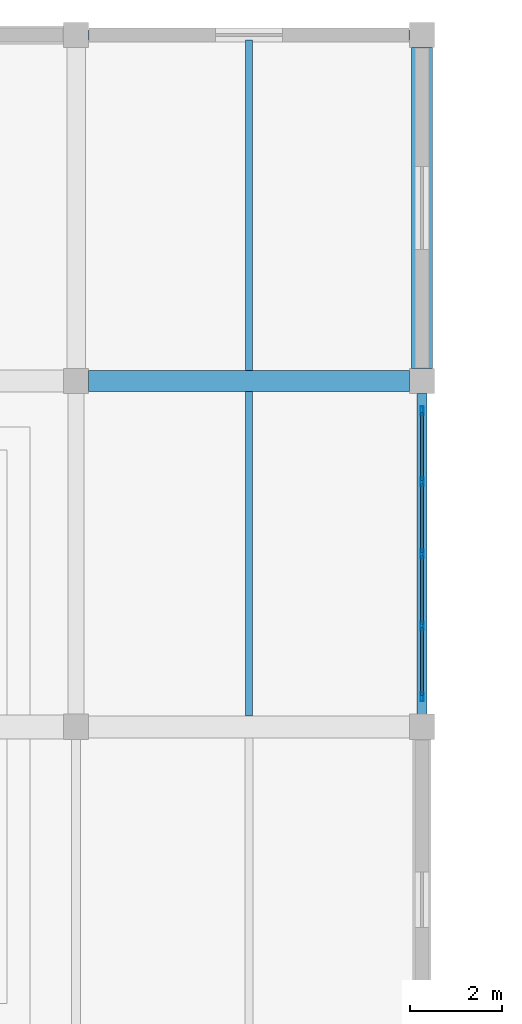
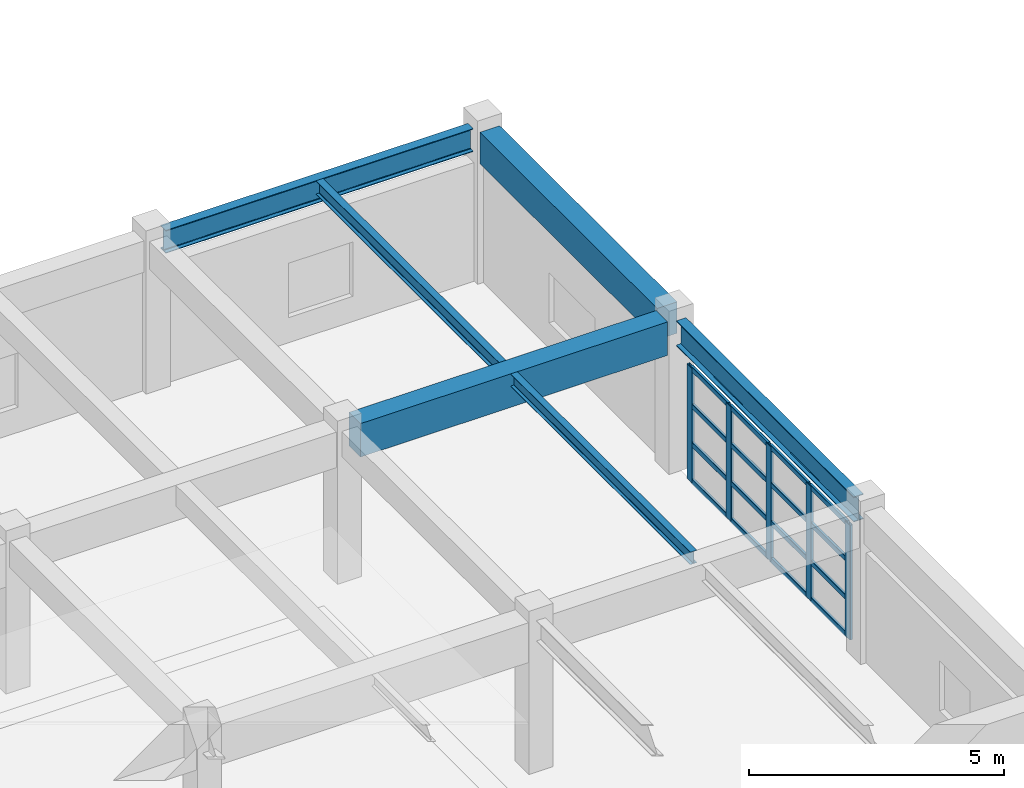
# One storey, part 54 of 101: 21 members, 6 beams, 1 element without a shape of its own.
"""IFC4 building model written with IfcOpenShell, lengths in metres."""

from ifc_helpers import new_model, si_unit, direction, frame, origin, origin_2d, place, context, subcontext, project, spatial, rectangle, hollow_rectangle, i_section, extrude, material, material_profile, profile_set, type_object, element, aggregate, save


model = new_model("IFC4")

# Units and contexts
model_context = context("Model", 3, precision=1e-05, world=origin(), true_north=direction((0.0, 1.0)))
body_context = subcontext(model_context, "Body", "Model", "MODEL_VIEW")
ifc_project = project(units=[si_unit("LENGTHUNIT", "METRE"), si_unit("AREAUNIT", "SQUARE_METRE"), si_unit("VOLUMEUNIT", "CUBIC_METRE"), si_unit("PLANEANGLEUNIT", "RADIAN"), si_unit("MASSUNIT", "GRAM", prefix="KILO")], contexts=[model_context])

# Site, building, storey
site_placement = place(None, origin())
site = spatial("IfcSite", under=ifc_project, at=site_placement, CompositionType="ELEMENT")
building_placement = place(site_placement, origin())
building = spatial("IfcBuilding", under=site, at=building_placement, Name="Qasida Concert Hall", CompositionType="ELEMENT")
storey_placement = place(building_placement, frame((0.0, 0.0, 13.199951171875)))
storey = spatial("IfcBuildingStorey", under=building, at=storey_placement, Name="L03", CompositionType="ELEMENT", Elevation=13.199951171875)

# Beams
ifc_material_1 = material(Name="Concrete C40/50", Category="concrete")
ifc_material_profile_1 = material_profile(ifc_material_1, rectangle(XDim=0.449951171875, YDim=0.800048828125, at=origin_2d()), Name="RC 450x800")
ifc_profile_set_1 = profile_set([ifc_material_profile_1], Name="Concrete C40/50")
beam_type_1 = type_object("IfcBeamType", Name="BM-G2", PredefinedType="USERDEFINED", material=ifc_profile_set_1)
beam_1_placement = place(storey_placement, frame((30.27490234375, 105.0, 3.219970703125), z_axis=(1.0, 0.0, 0.0), x_axis=(0.0, 1.0, 0.0)))
element("IfcBeam", 1, at=beam_1_placement, inside=storey, type_object=beam_type_1, Name="Primary girder 1752", ObjectType="GIRDER", PredefinedType="USERDEFINED", context=body_context, shape_type="SweptSolid", body=[
    extrude(rectangle(XDim=0.449951171875, YDim=0.800048828125, at=origin_2d()), origin(), (0.0, 0.0, 1.0), 6.9501953125),
])
ifc_material_2 = material(Name="Steel S355J2", Category="steel")
ifc_material_profile_2 = material_profile(ifc_material_2, i_section(OverallWidth=0.14990234375, OverallDepth=0.300048828125, WebThickness=0.007080078125, FlangeThickness=0.0107421875, FilletRadius=0.014892578125, at=origin_2d()), Name="IPE 300")
ifc_profile_set_2 = profile_set([ifc_material_profile_2], Name="Steel S355J2")
beam_type_2 = type_object("IfcBeamType", Name="BM-J4", PredefinedType="JOIST", material=ifc_profile_set_2)
beam_2_placement = place(storey_placement, frame((33.75, 97.739990234375, 3.469970703125), z_axis=(0.0, 1.0, 0.0), x_axis=(-1.0, 0.0, 0.0)))
element("IfcBeam", 2, at=beam_2_placement, inside=storey, type_object=beam_type_2, Name="L03 secondary joist 1803", PredefinedType="JOIST", context=body_context, shape_type="SweptSolid", body=[
    extrude(i_section(OverallWidth=0.14990234375, OverallDepth=0.300048828125, WebThickness=0.007080078125, FlangeThickness=0.0107421875, FilletRadius=0.014892578125, at=origin_2d()), origin(), (0.0, 0.0, 1.0), 7.034912109375),
])
ifc_material_profile_3 = material_profile(ifc_material_2, i_section(OverallWidth=0.159912109375, OverallDepth=0.330078125, WebThickness=0.007568359375, FlangeThickness=0.011474609375, FilletRadius=0.01806640625, at=origin_2d()), Name="IPE 330")
ifc_profile_set_3 = profile_set([ifc_material_profile_3], Name="Steel S355J2")
beam_type_3 = type_object("IfcBeamType", Name="BM-J5", PredefinedType="JOIST", material=ifc_profile_set_3)
beam_3_placement = place(storey_placement, frame((33.75, 105.22509765625, 3.455078125), z_axis=(0.0, 1.0, 0.0), x_axis=(-1.0, 0.0, 0.0)))
element("IfcBeam", 3, at=beam_3_placement, inside=storey, type_object=beam_type_3, Name="L03 secondary joist 1804", PredefinedType="JOIST", context=body_context, shape_type="SweptSolid", body=[
    extrude(i_section(OverallWidth=0.159912109375, OverallDepth=0.330078125, WebThickness=0.007568359375, FlangeThickness=0.011474609375, FilletRadius=0.01806640625, at=origin_2d()), origin(), (0.0, 0.0, 1.0), 7.169921875),
])
ifc_material_profile_4 = material_profile(ifc_material_2, i_section(OverallWidth=0.2099609375, OverallDepth=0.550048828125, WebThickness=0.010986328125, FlangeThickness=0.01708984375, FilletRadius=0.02392578125, at=origin_2d()), Name="IPE 550")
ifc_profile_set_4 = profile_set([ifc_material_profile_4], Name="Steel S355J2")
beam_type_4 = type_object("IfcBeamType", Name="BM-SP2", PredefinedType="SPANDREL", material=ifc_profile_set_4)
beam_4_placement = place(storey_placement, frame((30.27490234375, 112.5, 3.344970703125), z_axis=(1.0, 0.0, 0.0), x_axis=(0.0, 1.0, 0.0)))
element("IfcBeam", 4, at=beam_4_placement, inside=storey, type_object=beam_type_4, Name="Primary girder 1756", PredefinedType="SPANDREL", context=body_context, shape_type="SweptSolid", body=[
    extrude(i_section(OverallWidth=0.2099609375, OverallDepth=0.550048828125, WebThickness=0.010986328125, FlangeThickness=0.01708984375, FilletRadius=0.02392578125, at=origin_2d()), origin(), (0.0, 0.0, 1.0), 6.9501953125),
])
ifc_material_profile_5 = material_profile(ifc_material_2, i_section(OverallWidth=0.219970703125, OverallDepth=0.60009765625, WebThickness=0.011962890625, FlangeThickness=0.01904296875, FilletRadius=0.02392578125, at=origin_2d()), Name="IPE 600")
ifc_profile_set_5 = profile_set([ifc_material_profile_5], Name="Steel S355J2")
beam_type_5 = type_object("IfcBeamType", Name="BM-SP3", PredefinedType="SPANDREL", material=ifc_profile_set_5)
beam_5_placement = place(storey_placement, frame((37.5, 97.77490234375, 3.320068359375), z_axis=(0.0, 1.0, 0.0), x_axis=(-1.0, 0.0, 0.0)))
element("IfcBeam", 5, at=beam_5_placement, inside=storey, type_object=beam_type_5, Name="L03 girder 1780", PredefinedType="SPANDREL", context=body_context, shape_type="SweptSolid", body=[
    extrude(i_section(OverallWidth=0.219970703125, OverallDepth=0.60009765625, WebThickness=0.011962890625, FlangeThickness=0.01904296875, FilletRadius=0.02392578125, at=origin_2d()), origin(), (0.0, 0.0, 1.0), 6.9501953125),
])
ifc_material_profile_6 = material_profile(ifc_material_1, rectangle(XDim=0.449951171875, YDim=0.75, at=origin_2d()), Name="RC 450x750")
ifc_profile_set_6 = profile_set([ifc_material_profile_6], Name="Concrete C40/50")
beam_type_6 = type_object("IfcBeamType", Name="BM-SP4", PredefinedType="SPANDREL", material=ifc_profile_set_6)
beam_6_placement = place(storey_placement, frame((37.5, 105.27490234375, 3.2451171875), z_axis=(0.0, 1.0, 0.0), x_axis=(-1.0, 0.0, 0.0)))
element("IfcBeam", 6, at=beam_6_placement, inside=storey, type_object=beam_type_6, Name="L03 girder 1781", PredefinedType="SPANDREL", context=body_context, shape_type="SweptSolid", body=[
    extrude(rectangle(XDim=0.449951171875, YDim=0.75, at=origin_2d()), origin(), (0.0, 0.0, 1.0), 6.9501953125),
])

# Curtain wall, members
ifc_material_3 = material(Name="Architectural bronze-anodized aluminium and low-E glass", Category="aluminium")
curtain_wall_type = type_object("IfcCurtainWallType", Name="CW-08", PredefinedType="NOTDEFINED", material=ifc_material_3)
curtain_wall_placement = place(storey_placement, origin())
curtain_wall = element("IfcCurtainWall", 7, at=curtain_wall_placement, inside=storey, type_object=curtain_wall_type, Name="L03 curtain wall CW-08 0193", PredefinedType="NOTDEFINED")
ifc_material_4 = material(Name="Architectural bronze-anodized aluminium EN AW-6063", Category="aluminium")
ifc_material_profile_7 = material_profile(ifc_material_4, hollow_rectangle(XDim=0.06494140625, YDim=0.199951171875, WallThickness=0.0048828125, InnerFilletRadius=0.0048828125, OuterFilletRadius=0.010009765625, at=origin_2d()), Name="CWM 200x65x5")
ifc_profile_set_7 = profile_set([ifc_material_profile_7], Name="Architectural bronze-anodized aluminium EN AW-6063")
member_type_1 = type_object("IfcMemberType", Name="MB-CWM-2", PredefinedType="MULLION", material=ifc_profile_set_7)
member_1_placement = place(storey_placement, frame((37.5, 98.152587890625, 0.0), z_axis=(0.0, 0.0, 1.0), x_axis=(-1.0, 0.0, 0.0)))
member_1 = element("IfcMember", 8, at=member_1_placement, type_object=member_type_1, Name="CW-08 mullion 1", PredefinedType="MULLION", context=body_context, shape_type="SweptSolid", body=[
    extrude(hollow_rectangle(XDim=0.06494140625, YDim=0.199951171875, WallThickness=0.0048828125, InnerFilletRadius=0.0048828125, OuterFilletRadius=0.010009765625, at=origin_2d()), origin(), (0.0, 0.0, 1.0), 2.739990234375),
])
member_2_placement = place(storey_placement, frame((37.5, 99.68505859375, 0.0), z_axis=(0.0, 0.0, 1.0), x_axis=(-1.0, 0.0, 0.0)))
member_2 = element("IfcMember", 9, at=member_2_placement, type_object=member_type_1, Name="CW-08 mullion 2", PredefinedType="MULLION", context=body_context, shape_type="SweptSolid", body=[
    extrude(hollow_rectangle(XDim=0.06494140625, YDim=0.199951171875, WallThickness=0.0048828125, InnerFilletRadius=0.0048828125, OuterFilletRadius=0.010009765625, at=origin_2d()), origin(), (0.0, 0.0, 1.0), 2.739990234375),
])
member_3_placement = place(storey_placement, frame((37.5, 101.25, 0.0), z_axis=(0.0, 0.0, 1.0), x_axis=(-1.0, 0.0, 0.0)))
member_3 = element("IfcMember", 10, at=member_3_placement, type_object=member_type_1, Name="CW-08 mullion 3", PredefinedType="MULLION", context=body_context, shape_type="SweptSolid", body=[
    extrude(hollow_rectangle(XDim=0.06494140625, YDim=0.199951171875, WallThickness=0.0048828125, InnerFilletRadius=0.0048828125, OuterFilletRadius=0.010009765625, at=origin_2d()), origin(), (0.0, 0.0, 1.0), 2.739990234375),
])
member_4_placement = place(storey_placement, frame((37.5, 102.81494140625, 0.0), z_axis=(0.0, 0.0, 1.0), x_axis=(-1.0, 0.0, 0.0)))
member_4 = element("IfcMember", 11, at=member_4_placement, type_object=member_type_1, Name="CW-08 mullion 4", PredefinedType="MULLION", context=body_context, shape_type="SweptSolid", body=[
    extrude(hollow_rectangle(XDim=0.06494140625, YDim=0.199951171875, WallThickness=0.0048828125, InnerFilletRadius=0.0048828125, OuterFilletRadius=0.010009765625, at=origin_2d()), origin(), (0.0, 0.0, 1.0), 2.739990234375),
])
member_5_placement = place(storey_placement, frame((37.5, 104.347412109375, 0.0), z_axis=(0.0, 0.0, 1.0), x_axis=(-1.0, 0.0, 0.0)))
member_5 = element("IfcMember", 12, at=member_5_placement, type_object=member_type_1, Name="CW-08 mullion 5", PredefinedType="MULLION", context=body_context, shape_type="SweptSolid", body=[
    extrude(hollow_rectangle(XDim=0.06494140625, YDim=0.199951171875, WallThickness=0.0048828125, InnerFilletRadius=0.0048828125, OuterFilletRadius=0.010009765625, at=origin_2d()), origin(), (0.0, 0.0, 1.0), 2.739990234375),
])
ifc_material_profile_8 = material_profile(ifc_material_4, hollow_rectangle(XDim=0.06005859375, YDim=0.1201171875, WallThickness=0.00390625, InnerFilletRadius=0.00390625, OuterFilletRadius=0.008056640625, at=origin_2d()), Name="CWT 120x60x4")
ifc_profile_set_8 = profile_set([ifc_material_profile_8], Name="Architectural bronze-anodized aluminium EN AW-6063")
member_type_2 = type_object("IfcMemberType", Name="MB-CWT-2", PredefinedType="USERDEFINED", material=ifc_profile_set_8)
member_6_placement = place(storey_placement, frame((37.5, 98.18505859375, 0.030029296875), z_axis=(0.0, 1.0, 0.0), x_axis=(-1.0, 0.0, 0.0)))
member_6 = element("IfcMember", 13, at=member_6_placement, type_object=member_type_2, Name="CW-08 transom 1.1", ObjectType="TRANSOM", PredefinedType="USERDEFINED", context=body_context, shape_type="SweptSolid", body=[
    extrude(hollow_rectangle(XDim=0.06005859375, YDim=0.1201171875, WallThickness=0.00390625, InnerFilletRadius=0.00390625, OuterFilletRadius=0.008056640625, at=origin_2d()), origin(), (0.0, 0.0, 1.0), 1.467529296875),
])
member_7_placement = place(storey_placement, frame((37.5, 98.18505859375, 0.913330078125), z_axis=(0.0, 1.0, 0.0), x_axis=(-1.0, 0.0, 0.0)))
member_7 = element("IfcMember", 14, at=member_7_placement, type_object=member_type_2, Name="CW-08 transom 1.2", ObjectType="TRANSOM", PredefinedType="USERDEFINED", context=body_context, shape_type="SweptSolid", body=[
    extrude(hollow_rectangle(XDim=0.06005859375, YDim=0.1201171875, WallThickness=0.00390625, InnerFilletRadius=0.00390625, OuterFilletRadius=0.008056640625, at=origin_2d()), origin(), (0.0, 0.0, 1.0), 1.467529296875),
])
member_8_placement = place(storey_placement, frame((37.5, 98.18505859375, 1.82666015625), z_axis=(0.0, 1.0, 0.0), x_axis=(-1.0, 0.0, 0.0)))
member_8 = element("IfcMember", 15, at=member_8_placement, type_object=member_type_2, Name="CW-08 transom 1.3", ObjectType="TRANSOM", PredefinedType="USERDEFINED", context=body_context, shape_type="SweptSolid", body=[
    extrude(hollow_rectangle(XDim=0.06005859375, YDim=0.1201171875, WallThickness=0.00390625, InnerFilletRadius=0.00390625, OuterFilletRadius=0.008056640625, at=origin_2d()), origin(), (0.0, 0.0, 1.0), 1.467529296875),
])
member_9_placement = place(storey_placement, frame((37.5, 98.18505859375, 2.7099609375), z_axis=(0.0, 1.0, 0.0), x_axis=(-1.0, 0.0, 0.0)))
member_9 = element("IfcMember", 16, at=member_9_placement, type_object=member_type_2, Name="CW-08 transom 1.4", ObjectType="TRANSOM", PredefinedType="USERDEFINED", context=body_context, shape_type="SweptSolid", body=[
    extrude(hollow_rectangle(XDim=0.06005859375, YDim=0.1201171875, WallThickness=0.00390625, InnerFilletRadius=0.00390625, OuterFilletRadius=0.008056640625, at=origin_2d()), origin(), (0.0, 0.0, 1.0), 1.467529296875),
])
member_10_placement = place(storey_placement, frame((37.5, 99.717529296875, 0.030029296875), z_axis=(0.0, 1.0, 0.0), x_axis=(-1.0, 0.0, 0.0)))
member_10 = element("IfcMember", 17, at=member_10_placement, type_object=member_type_2, Name="CW-08 transom 2.1", ObjectType="TRANSOM", PredefinedType="USERDEFINED", context=body_context, shape_type="SweptSolid", body=[
    extrude(hollow_rectangle(XDim=0.06005859375, YDim=0.1201171875, WallThickness=0.00390625, InnerFilletRadius=0.00390625, OuterFilletRadius=0.008056640625, at=origin_2d()), origin(), (0.0, 0.0, 1.0), 1.5),
])
member_11_placement = place(storey_placement, frame((37.5, 99.717529296875, 0.913330078125), z_axis=(0.0, 1.0, 0.0), x_axis=(-1.0, 0.0, 0.0)))
member_11 = element("IfcMember", 18, at=member_11_placement, type_object=member_type_2, Name="CW-08 transom 2.2", ObjectType="TRANSOM", PredefinedType="USERDEFINED", context=body_context, shape_type="SweptSolid", body=[
    extrude(hollow_rectangle(XDim=0.06005859375, YDim=0.1201171875, WallThickness=0.00390625, InnerFilletRadius=0.00390625, OuterFilletRadius=0.008056640625, at=origin_2d()), origin(), (0.0, 0.0, 1.0), 1.5),
])
member_12_placement = place(storey_placement, frame((37.5, 99.717529296875, 1.82666015625), z_axis=(0.0, 1.0, 0.0), x_axis=(-1.0, 0.0, 0.0)))
member_12 = element("IfcMember", 19, at=member_12_placement, type_object=member_type_2, Name="CW-08 transom 2.3", ObjectType="TRANSOM", PredefinedType="USERDEFINED", context=body_context, shape_type="SweptSolid", body=[
    extrude(hollow_rectangle(XDim=0.06005859375, YDim=0.1201171875, WallThickness=0.00390625, InnerFilletRadius=0.00390625, OuterFilletRadius=0.008056640625, at=origin_2d()), origin(), (0.0, 0.0, 1.0), 1.5),
])
member_13_placement = place(storey_placement, frame((37.5, 99.717529296875, 2.7099609375), z_axis=(0.0, 1.0, 0.0), x_axis=(-1.0, 0.0, 0.0)))
member_13 = element("IfcMember", 20, at=member_13_placement, type_object=member_type_2, Name="CW-08 transom 2.4", ObjectType="TRANSOM", PredefinedType="USERDEFINED", context=body_context, shape_type="SweptSolid", body=[
    extrude(hollow_rectangle(XDim=0.06005859375, YDim=0.1201171875, WallThickness=0.00390625, InnerFilletRadius=0.00390625, OuterFilletRadius=0.008056640625, at=origin_2d()), origin(), (0.0, 0.0, 1.0), 1.5),
])
member_14_placement = place(storey_placement, frame((37.5, 101.282470703125, 0.030029296875), z_axis=(0.0, 1.0, 0.0), x_axis=(-1.0, 0.0, 0.0)))
member_14 = element("IfcMember", 21, at=member_14_placement, type_object=member_type_2, Name="CW-08 transom 3.1", ObjectType="TRANSOM", PredefinedType="USERDEFINED", context=body_context, shape_type="SweptSolid", body=[
    extrude(hollow_rectangle(XDim=0.06005859375, YDim=0.1201171875, WallThickness=0.00390625, InnerFilletRadius=0.00390625, OuterFilletRadius=0.008056640625, at=origin_2d()), origin(), (0.0, 0.0, 1.0), 1.5),
])
member_15_placement = place(storey_placement, frame((37.5, 101.282470703125, 0.913330078125), z_axis=(0.0, 1.0, 0.0), x_axis=(-1.0, 0.0, 0.0)))
member_15 = element("IfcMember", 22, at=member_15_placement, type_object=member_type_2, Name="CW-08 transom 3.2", ObjectType="TRANSOM", PredefinedType="USERDEFINED", context=body_context, shape_type="SweptSolid", body=[
    extrude(hollow_rectangle(XDim=0.06005859375, YDim=0.1201171875, WallThickness=0.00390625, InnerFilletRadius=0.00390625, OuterFilletRadius=0.008056640625, at=origin_2d()), origin(), (0.0, 0.0, 1.0), 1.5),
])
member_16_placement = place(storey_placement, frame((37.5, 101.282470703125, 1.82666015625), z_axis=(0.0, 1.0, 0.0), x_axis=(-1.0, 0.0, 0.0)))
member_16 = element("IfcMember", 23, at=member_16_placement, type_object=member_type_2, Name="CW-08 transom 3.3", ObjectType="TRANSOM", PredefinedType="USERDEFINED", context=body_context, shape_type="SweptSolid", body=[
    extrude(hollow_rectangle(XDim=0.06005859375, YDim=0.1201171875, WallThickness=0.00390625, InnerFilletRadius=0.00390625, OuterFilletRadius=0.008056640625, at=origin_2d()), origin(), (0.0, 0.0, 1.0), 1.5),
])
member_17_placement = place(storey_placement, frame((37.5, 101.282470703125, 2.7099609375), z_axis=(0.0, 1.0, 0.0), x_axis=(-1.0, 0.0, 0.0)))
member_17 = element("IfcMember", 24, at=member_17_placement, type_object=member_type_2, Name="CW-08 transom 3.4", ObjectType="TRANSOM", PredefinedType="USERDEFINED", context=body_context, shape_type="SweptSolid", body=[
    extrude(hollow_rectangle(XDim=0.06005859375, YDim=0.1201171875, WallThickness=0.00390625, InnerFilletRadius=0.00390625, OuterFilletRadius=0.008056640625, at=origin_2d()), origin(), (0.0, 0.0, 1.0), 1.5),
])
member_18_placement = place(storey_placement, frame((37.5, 102.847412109375, 0.030029296875), z_axis=(0.0, 1.0, 0.0), x_axis=(-1.0, 0.0, 0.0)))
member_18 = element("IfcMember", 25, at=member_18_placement, type_object=member_type_2, Name="CW-08 transom 4.1", ObjectType="TRANSOM", PredefinedType="USERDEFINED", context=body_context, shape_type="SweptSolid", body=[
    extrude(hollow_rectangle(XDim=0.06005859375, YDim=0.1201171875, WallThickness=0.00390625, InnerFilletRadius=0.00390625, OuterFilletRadius=0.008056640625, at=origin_2d()), origin(), (0.0, 0.0, 1.0), 1.467529296875),
])
member_19_placement = place(storey_placement, frame((37.5, 102.847412109375, 0.913330078125), z_axis=(0.0, 1.0, 0.0), x_axis=(-1.0, 0.0, 0.0)))
member_19 = element("IfcMember", 26, at=member_19_placement, type_object=member_type_2, Name="CW-08 transom 4.2", ObjectType="TRANSOM", PredefinedType="USERDEFINED", context=body_context, shape_type="SweptSolid", body=[
    extrude(hollow_rectangle(XDim=0.06005859375, YDim=0.1201171875, WallThickness=0.00390625, InnerFilletRadius=0.00390625, OuterFilletRadius=0.008056640625, at=origin_2d()), origin(), (0.0, 0.0, 1.0), 1.467529296875),
])
member_20_placement = place(storey_placement, frame((37.5, 102.847412109375, 1.82666015625), z_axis=(0.0, 1.0, 0.0), x_axis=(-1.0, 0.0, 0.0)))
member_20 = element("IfcMember", 27, at=member_20_placement, type_object=member_type_2, Name="CW-08 transom 4.3", ObjectType="TRANSOM", PredefinedType="USERDEFINED", context=body_context, shape_type="SweptSolid", body=[
    extrude(hollow_rectangle(XDim=0.06005859375, YDim=0.1201171875, WallThickness=0.00390625, InnerFilletRadius=0.00390625, OuterFilletRadius=0.008056640625, at=origin_2d()), origin(), (0.0, 0.0, 1.0), 1.467529296875),
])
member_21_placement = place(storey_placement, frame((37.5, 102.847412109375, 2.7099609375), z_axis=(0.0, 1.0, 0.0), x_axis=(-1.0, 0.0, 0.0)))
member_21 = element("IfcMember", 28, at=member_21_placement, type_object=member_type_2, Name="CW-08 transom 4.4", ObjectType="TRANSOM", PredefinedType="USERDEFINED", context=body_context, shape_type="SweptSolid", body=[
    extrude(hollow_rectangle(XDim=0.06005859375, YDim=0.1201171875, WallThickness=0.00390625, InnerFilletRadius=0.00390625, OuterFilletRadius=0.008056640625, at=origin_2d()), origin(), (0.0, 0.0, 1.0), 1.467529296875),
])
aggregate(curtain_wall, [member_1, member_2, member_3, member_4, member_5, member_6, member_7, member_8, member_9, member_10, member_11, member_12, member_13, member_14, member_15, member_16, member_17, member_18, member_19, member_20, member_21])

save(model, "model.ifc")
